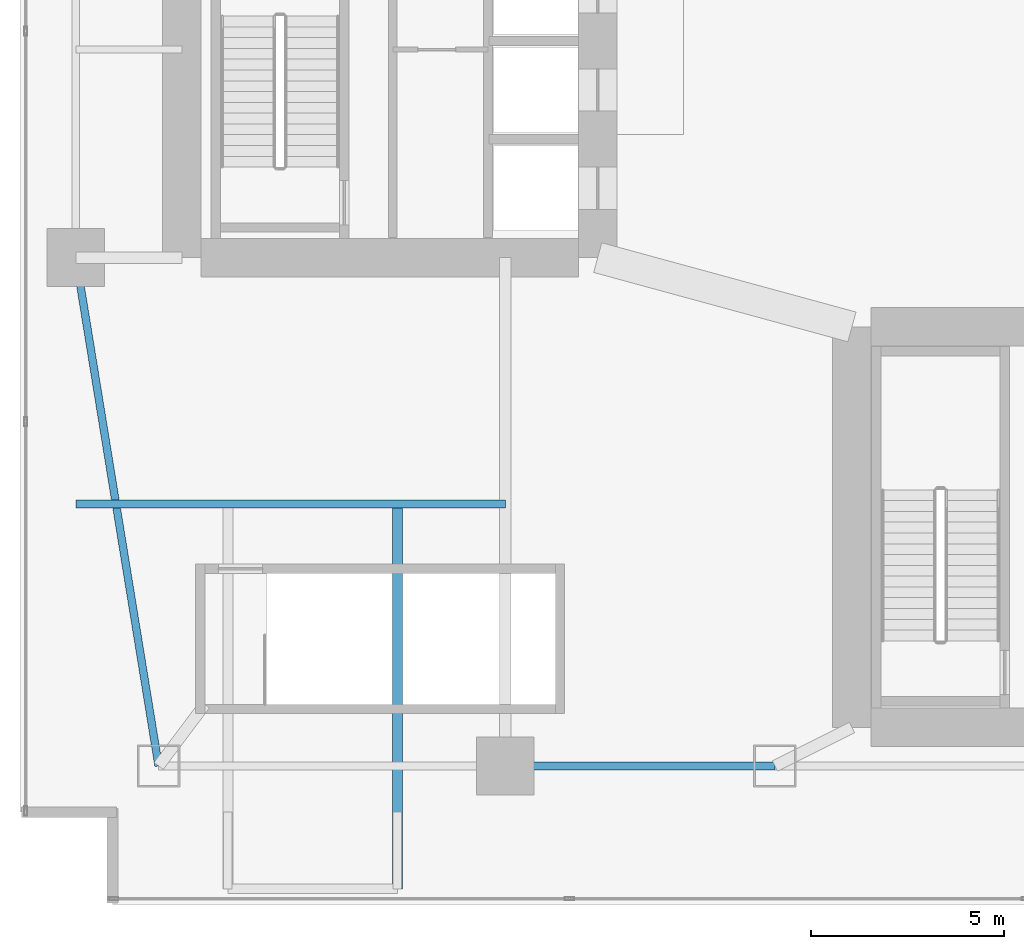
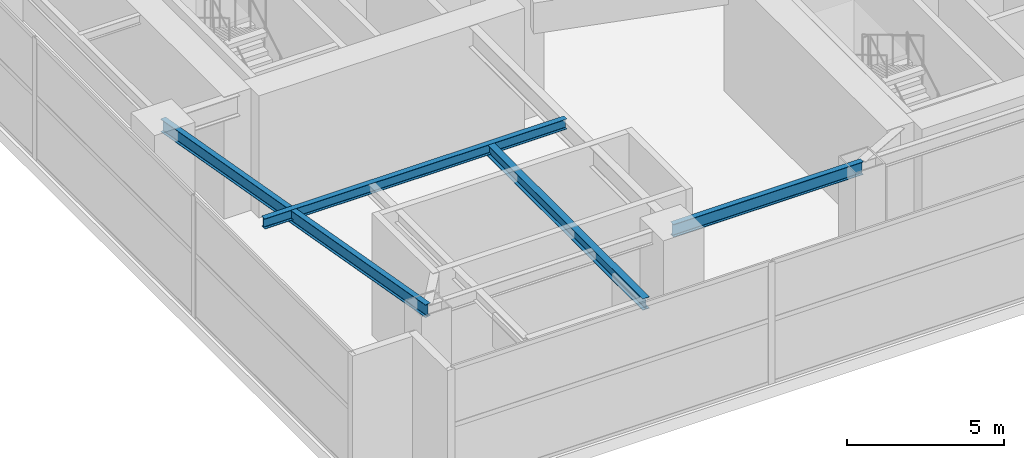
# One storey, part 5 of 36: 4 beams.
"""IFC4 building model written with IfcOpenShell, lengths in metres."""

import ifcopenshell
import ifcopenshell.guid

model = None  # the IFC model being written
_history = None  # IfcOwnerHistory: only IFC2X3 demands one
_inside = {}  # id of a spatial element -> (the spatial element, [elements in it])
_under = {}  # id of a project, library or spatial element -> (it, [spatial elements below it])
_declared = {}  # id of a project -> (the project, [libraries it declares])
_typed = {}  # id of a type object -> (the type object, [elements of that type])
_made_of = {}  # id of a material, layer set ... -> (it, [elements and type objects made of it])


def new_model(schema):
    """Start an empty IFC model of exactly this schema.

    Asked for "IFC4X3", IfcOpenShell would pick the latest addendum, in which some entities
    have other attributes; the version numbers below select the first issue.
    IFC2X3 requires an IfcOwnerHistory on every rooted entity: one is made here for all.
    """
    global model, _history
    if schema == "IFC4X3":
        model = ifcopenshell.file(schema_version=(4, 3, 0, 0))
    else:
        model = ifcopenshell.file(schema=schema)
    _inside.clear()
    _under.clear()
    _declared.clear()
    _typed.clear()
    _made_of.clear()
    _history = None
    if model.schema == "IFC2X3":
        org = make("IfcOrganization", Name="unknown")
        user = make(
            "IfcPersonAndOrganization",
            ThePerson=make("IfcPerson", FamilyName="unknown"),
            TheOrganization=org,
        )
        app = make(
            "IfcApplication",
            ApplicationDeveloper=org,
            Version="unknown",
            ApplicationFullName="unknown",
            ApplicationIdentifier="unknown",
        )
        _history = make(
            "IfcOwnerHistory",
            OwningUser=user,
            OwningApplication=app,
            ChangeAction="ADDED",
            CreationDate=0,
        )
    return model


def make(cls, **values):
    """One entity of the class cls with the attributes given. An attribute that is None is left unset."""
    return model.create_entity(
        cls, **{name: value for name, value in values.items() if value is not None}
    )


def rooted(cls, **values):
    """An entity with a GlobalId (a new one), such as an element, a storey or a relation."""
    return make(cls, GlobalId=ifcopenshell.guid.new(), OwnerHistory=_history, **values)


def si_unit(unit_type, name, prefix=None):
    """IfcSIUnit, for example si_unit("LENGTHUNIT", "METRE", prefix="MILLI")."""
    return make("IfcSIUnit", UnitType=unit_type, Prefix=prefix, Name=name)


def assignment(units):
    """IfcUnitAssignment: the units of a project."""
    return None if units is None else make("IfcUnitAssignment", Units=units)


def point(xyz):
    """IfcCartesianPoint."""
    return None if xyz is None else make("IfcCartesianPoint", Coordinates=xyz)


def direction(xyz):
    """IfcDirection."""
    return None if xyz is None else make("IfcDirection", DirectionRatios=xyz)


def frame(location, z_axis=None, x_axis=None):
    """IfcAxis2Placement3D, a coordinate frame: its origin and axes. An axis left out is left unset."""
    return make(
        "IfcAxis2Placement3D",
        Location=point(location),
        Axis=direction(z_axis),
        RefDirection=direction(x_axis),
    )


def frame_2d(location, x_axis=None):
    """IfcAxis2Placement2D, a coordinate frame in the plane: its origin and x axis."""
    return make(
        "IfcAxis2Placement2D", Location=point(location), RefDirection=direction(x_axis)
    )


def origin():
    """The frame at (0, 0, 0) with its axes left unset."""
    return frame((0.0, 0.0, 0.0))


def origin_2d():
    """The frame at (0, 0) in the plane with its x axis left unset."""
    return frame_2d((0.0, 0.0))


def place(relative_to, where):
    """IfcLocalPlacement: puts the frame where relative to a parent placement (None: the world)."""
    return make(
        "IfcLocalPlacement", PlacementRelTo=relative_to, RelativePlacement=where
    )


def context(
    kind, dimensions, precision=None, world=None, true_north=None, identifier=None
):
    """IfcGeometricRepresentationContext, for example the 3D "Model" context."""
    return make(
        "IfcGeometricRepresentationContext",
        ContextIdentifier=identifier,
        ContextType=kind,
        CoordinateSpaceDimension=dimensions,
        Precision=precision,
        WorldCoordinateSystem=world,
        TrueNorth=true_north,
    )


def subcontext(parent, identifier, kind, view, scale=None):
    """IfcGeometricRepresentationSubContext, for example "Body" below "Model"."""
    return make(
        "IfcGeometricRepresentationSubContext",
        ContextIdentifier=identifier,
        ContextType=kind,
        ParentContext=parent,
        TargetScale=scale,
        TargetView=view,
    )


def project(units=None, contexts=None):
    """IfcProject with its units and contexts."""
    return rooted(
        "IfcProject",
        Name="project",
        RepresentationContexts=contexts,
        UnitsInContext=assignment(units),
    )


def spatial(cls, under=None, at=None, **own):
    """A site, building, storey or space (cls), placed at a placement, below another one or the project."""
    s = rooted(cls, ObjectPlacement=at, **own)
    if under is not None:
        _under.setdefault(under.id(), (under, []))[1].append(s)
    return s


def profile(cls, at=None, kind="AREA", **sizes):
    """A parametric profile (cls). Its sizes go by their IFC names, for example OverallWidth=200.0."""
    return make(cls, ProfileType=kind, Position=at, **sizes)


def i_section(**sizes):
    """IfcIShapeProfileDef."""
    return profile("IfcIShapeProfileDef", **sizes)


def extrude(swept, where, along, depth):
    """IfcExtrudedAreaSolid: the profile swept, set in the frame where, extruded along a direction by depth."""
    return make(
        "IfcExtrudedAreaSolid",
        SweptArea=swept,
        Position=where,
        ExtrudedDirection=direction(along),
        Depth=depth,
    )


def shape(context_of_items, identifier, shape_type, items):
    """IfcShapeRepresentation: the items that make up one representation, for example the "Body"."""
    return make(
        "IfcShapeRepresentation",
        ContextOfItems=context_of_items,
        RepresentationIdentifier=identifier,
        RepresentationType=shape_type,
        Items=items,
    )


def material(Name=None, Category=None):
    """IfcMaterial."""
    return make("IfcMaterial", Name=Name, Category=Category)


def material_profile(
    of_material, cross_section, Name=None, Category=None, Priority=None
):
    """IfcMaterialProfile: a cross section and its material."""
    return make(
        "IfcMaterialProfile",
        Name=Name,
        Material=of_material,
        Profile=cross_section,
        Priority=Priority,
        Category=Category,
    )


def profile_set(profiles, Name=None, composite=None):
    """IfcMaterialProfileSet."""
    return make(
        "IfcMaterialProfileSet",
        Name=Name,
        MaterialProfiles=profiles,
        CompositeProfile=composite,
    )


def made_of(thing, what):
    """Note that an element or type object is made of a material, layer set ...; save() writes the relation."""
    if what is not None:
        _made_of.setdefault(what.id(), (what, []))[1].append(thing)
    return thing


def type_object(cls, material=None, **own):
    """A type object (cls), such as IfcWallType, which elements share."""
    return made_of(rooted(cls, **own), material)


def element(
    cls,
    number,
    at=None,
    inside=None,
    cuts=None,
    type_object=None,
    material=None,
    context=None,
    identifier="Body",
    shape_type=None,
    held_by="IfcProductDefinitionShape",
    body=None,
    shapes=None,
    **own,
):
    """One element of the class cls, such as IfcWall. Its Tag is "e" and its number.

    at: its placement. inside: the storey or other place that contains it. cuts: it is an
    opening in that element (IfcRelVoidsElement). A single representation is given by context,
    identifier, shape_type and body (its items); several are given by shapes. held_by: the class
    of the entity that holds the representations. save() writes the other relations.
    """
    e = rooted(cls, Tag="e%d" % number, ObjectPlacement=at, **own)
    if body is not None:
        shapes = [shape(context, identifier, shape_type, body)]
    if shapes is not None:
        e.Representation = make(held_by, Representations=shapes)
    if inside is not None:
        _inside.setdefault(inside.id(), (inside, []))[1].append(e)
    if cuts is not None:
        rooted(
            "IfcRelVoidsElement", RelatingBuildingElement=cuts, RelatedOpeningElement=e
        )
    if type_object is not None:
        _typed.setdefault(type_object.id(), (type_object, []))[1].append(e)
    return made_of(e, material)


def aggregate(whole, parts):
    """IfcRelAggregates: a whole, such as a stair, and the parts it consists of."""
    return rooted("IfcRelAggregates", RelatingObject=whole, RelatedObjects=parts)


def save(model, path):
    """Write the relations noted so far, then the file.

    IfcRelAggregates (storeys below a building ...), IfcRelContainedInSpatialStructure (elements
    in a storey), IfcRelDefinesByType, IfcRelAssociatesMaterial and IfcRelDeclares: one each for
    every whole, place, type object, material and project.
    """
    for whole, parts in _under.values():
        aggregate(whole, parts)
    for where, things in _inside.values():
        rooted(
            "IfcRelContainedInSpatialStructure",
            RelatedElements=things,
            RelatingStructure=where,
        )
    for kind, things in _typed.values():
        rooted("IfcRelDefinesByType", RelatedObjects=things, RelatingType=kind)
    for what, things in _made_of.values():
        rooted("IfcRelAssociatesMaterial", RelatedObjects=things, RelatingMaterial=what)
    for by, libraries in _declared.values():
        rooted("IfcRelDeclares", RelatingContext=by, RelatedDefinitions=libraries)
    model.write(path)


model = new_model("IFC4")

# Units and contexts
model_context = context("Model", 3, precision=1e-05, world=origin(), true_north=direction((0.0, 1.0)))
body_context = subcontext(model_context, "Body", "Model", "MODEL_VIEW")
ifc_project = project(units=[si_unit("LENGTHUNIT", "METRE"), si_unit("AREAUNIT", "SQUARE_METRE"), si_unit("VOLUMEUNIT", "CUBIC_METRE"), si_unit("PLANEANGLEUNIT", "RADIAN"), si_unit("MASSUNIT", "GRAM", prefix="KILO")], contexts=[model_context])

# Site, building, storey
site_placement = place(None, origin())
site = spatial("IfcSite", under=ifc_project, at=site_placement, CompositionType="ELEMENT")
building_placement = place(site_placement, origin())
building = spatial("IfcBuilding", under=site, at=building_placement, Name="Calvorn Quay Hotel", CompositionType="ELEMENT")
storey_placement = place(building_placement, frame((0.0, 0.0, 22.0)))
storey = spatial("IfcBuildingStorey", under=building, at=storey_placement, Name="L04", CompositionType="ELEMENT", Elevation=22.0)

# Beams
ifc_material_1 = material(Name="Steel Q355B", Category="steel")
ifc_material_profile_1 = material_profile(ifc_material_1, i_section(OverallWidth=0.25, OverallDepth=0.449951171875, WebThickness=0.011962890625, FlangeThickness=0.01611328125, FilletRadius=0.01611328125, at=origin_2d()), Name="HN450x250x12x16")
ifc_profile_set_1 = profile_set([ifc_material_profile_1], Name="Steel Q355B")
beam_type_1 = type_object("IfcBeamType", Name="BM-CANT-BALC", PredefinedType="BEAM", material=ifc_profile_set_1)
beam_1_placement = place(storey_placement, frame((9.800048828125, 10.39990234375, 4.514892578125), z_axis=(0.0, -1.0, 0.0), x_axis=(1.0, 0.0, 0.0)))
element("IfcBeam", 1, at=beam_1_placement, inside=storey, type_object=beam_type_1, Name="Cantilever Balcony Beam BCB-L05-1B", PredefinedType="BEAM", context=body_context, shape_type="SweptSolid", body=[
    extrude(i_section(OverallWidth=0.25, OverallDepth=0.449951171875, WebThickness=0.011962890625, FlangeThickness=0.01611328125, FilletRadius=0.01611328125, at=origin_2d()), origin(), (0.0, 0.0, 1.0), 9.989990234375),
])
ifc_material_2 = material(Name="Steel Q355B", Category="steel")
ifc_material_profile_2 = material_profile(ifc_material_2, i_section(OverallWidth=0.199951171875, OverallDepth=0.39990234375, WebThickness=0.008056640625, FlangeThickness=0.012939453125, FilletRadius=0.01611328125, at=origin_2d()), Name="HN400x200x8x13")
ifc_profile_set_2 = profile_set([ifc_material_profile_2], Name="Steel Q355B")
beam_type_2 = type_object("IfcBeamType", Name="BM-JOIST-TYP", PredefinedType="JOIST", material=ifc_profile_set_2)
beam_2_placement = place(storey_placement, frame((1.449951171875, 10.39990234375, 4.5400390625), z_axis=(1.0, 0.0, 0.0), x_axis=(0.0, 1.0, 0.0)))
element("IfcBeam", 2, at=beam_2_placement, inside=storey, type_object=beam_type_2, Name="Beam BJ-L04-W1", PredefinedType="JOIST", context=body_context, shape_type="SweptSolid", body=[
    extrude(i_section(OverallWidth=0.199951171875, OverallDepth=0.39990234375, WebThickness=0.008056640625, FlangeThickness=0.012939453125, FilletRadius=0.01611328125, at=origin_2d()), origin(), (0.0, 0.0, 1.0), 11.150146484375),
])
ifc_material_3 = material(Name="Steel Q355B", Category="steel")
ifc_material_profile_3 = material_profile(ifc_material_3, i_section(OverallWidth=0.199951171875, OverallDepth=0.5, WebThickness=0.010009765625, FlangeThickness=0.01611328125, FilletRadius=0.01611328125, at=origin_2d()), Name="HN500x200x10x16")
ifc_profile_set_3 = profile_set([ifc_material_profile_3], Name="Steel Q355B")
beam_type_3 = type_object("IfcBeamType", Name="BM-SPANDREL-Z1", PredefinedType="SPANDREL", material=ifc_profile_set_3)
beam_3_placement = place(storey_placement, frame((3.60009765625, 3.60009765625, 4.489990234375), z_axis=(-0.16077155054, 0.986991645627, 0.0), x_axis=(-0.986991645627, -0.16077155054, 0.0)))
element("IfcBeam", 3, at=beam_3_placement, inside=storey, type_object=beam_type_3, Name="Beam BSP-L04-W1", PredefinedType="SPANDREL", context=body_context, shape_type="SweptSolid", body=[
    extrude(i_section(OverallWidth=0.199951171875, OverallDepth=0.5, WebThickness=0.010009765625, FlangeThickness=0.01611328125, FilletRadius=0.01611328125, at=origin_2d()), origin(), (0.0, 0.0, 1.0), 13.3740234375),
])
beam_4_placement = place(storey_placement, frame((12.60009765625, 3.60009765625, 4.489990234375), z_axis=(1.0, 0.0, 0.0), x_axis=(0.0, 1.0, 0.0)))
element("IfcBeam", 4, at=beam_4_placement, inside=storey, type_object=beam_type_3, Name="Beam BSP-L04-S2", PredefinedType="SPANDREL", context=body_context, shape_type="SweptSolid", body=[
    extrude(i_section(OverallWidth=0.199951171875, OverallDepth=0.5, WebThickness=0.010009765625, FlangeThickness=0.01611328125, FilletRadius=0.01611328125, at=origin_2d()), origin(), (0.0, 0.0, 1.0), 7.0),
])

save(model, "model.ifc")
